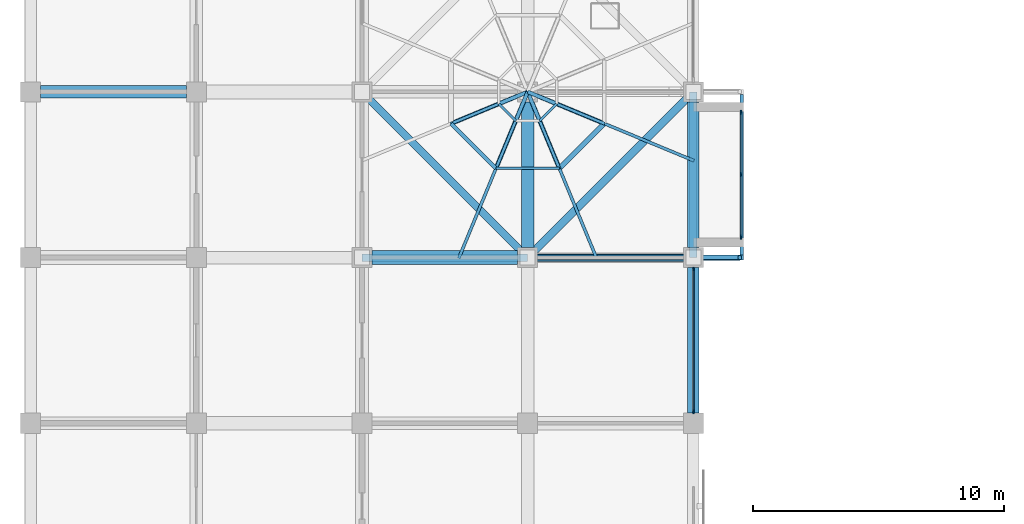
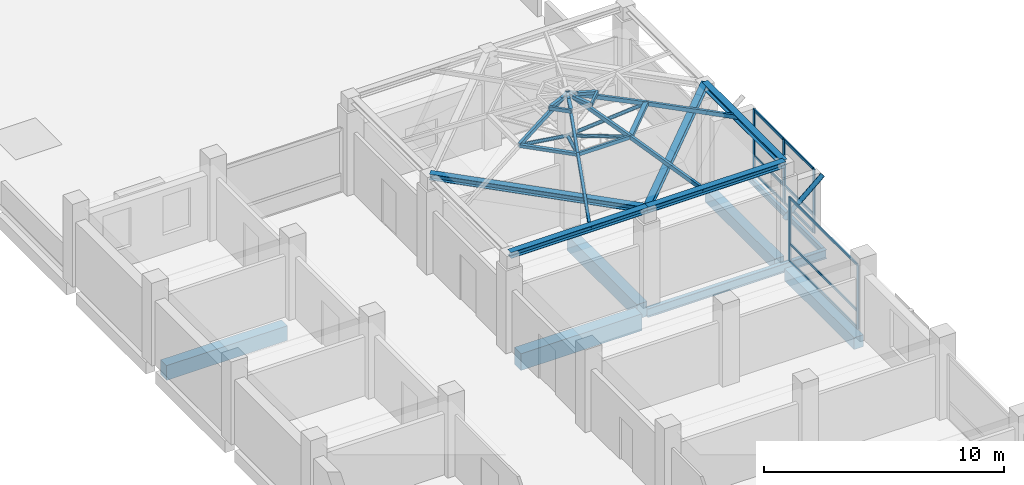
# One storey, part 12 of 30: 35 members, 12 beams, 2 elements without a shape of their own.
"""IFC4 building model written with IfcOpenShell, lengths in metres."""

from ifc_helpers import new_model, si_unit, direction, frame, origin, origin_2d, place, context, subcontext, project, spatial, rectangle, hollow_rectangle, hollow_circle, i_section, extrude, material, material_profile, profile_set, type_object, element, aggregate, save


model = new_model("IFC4")

# Units and contexts
model_context = context("Model", 3, precision=1e-05, world=origin(), true_north=direction((0.0, 1.0)))
body_context = subcontext(model_context, "Body", "Model", "MODEL_VIEW")
ifc_project = project(units=[si_unit("LENGTHUNIT", "METRE"), si_unit("AREAUNIT", "SQUARE_METRE"), si_unit("VOLUMEUNIT", "CUBIC_METRE"), si_unit("PLANEANGLEUNIT", "RADIAN"), si_unit("MASSUNIT", "GRAM", prefix="KILO")], contexts=[model_context])

# Site, building, storey
site_placement = place(None, origin())
site = spatial("IfcSite", under=ifc_project, at=site_placement, CompositionType="ELEMENT")
building_placement = place(site_placement, origin())
building = spatial("IfcBuilding", under=site, at=building_placement, Name="Rusizi Kubbe Research Institute", CompositionType="ELEMENT")
storey_placement = place(building_placement, frame((0.0, 0.0, 10.199951171875)))
storey = spatial("IfcBuildingStorey", under=building, at=storey_placement, Name="L02", CompositionType="ELEMENT", Elevation=10.199951171875)

# Beams
ifc_material_1 = material(Name="Steel S355", Category="steel")
ifc_material_profile_1 = material_profile(ifc_material_1, i_section(OverallWidth=0.300048828125, OverallDepth=0.300048828125, WebThickness=0.010986328125, FlangeThickness=0.01904296875, at=origin_2d()), Name="HEB 300")
ifc_profile_set_1 = profile_set([ifc_material_profile_1], Name="Steel S355")
beam_type_1 = type_object("IfcBeamType", Name="BM-HEB300", PredefinedType="BEAM", material=ifc_profile_set_1)
beam_1_placement = place(storey_placement, frame((13.199951171875, 105.60009765625, 4.699951171875), z_axis=(1.0, 0.0, 0.0), x_axis=(0.0, 1.0, 0.0)))
element("IfcBeam", 1, at=beam_1_placement, inside=storey, type_object=beam_type_1, Name="Kubbe Dome Ring Beam DOME-LEC S1", PredefinedType="BEAM", context=body_context, shape_type="SweptSolid", body=[
    extrude(i_section(OverallWidth=0.300048828125, OverallDepth=0.300048828125, WebThickness=0.010986328125, FlangeThickness=0.01904296875, at=origin_2d()), origin(), (0.0, 0.0, 1.0), 6.60009765625),
])
for number, where, z_axis, x_axis, name in (
    (2, (19.800048828125, 105.60009765625, 4.699951171875), (1.0, 0.0, 0.0), (0.0, 1.0, 0.0), "Kubbe Dome Ring Beam DOME-LEC S2"),
    (3, (26.39990234375, 105.60009765625, 4.699951171875), (0.0, 1.0, 0.0), (-1.0, 0.0, 0.0), "Kubbe Dome Ring Beam DOME-LEC E1"),
):
    element("IfcBeam", number, at=place(storey_placement, frame(where, z_axis=z_axis, x_axis=x_axis)), inside=storey, type_object=beam_type_1, Name=name, PredefinedType="BEAM", context=body_context, shape_type="SweptSolid", body=[
        extrude(i_section(OverallWidth=0.300048828125, OverallDepth=0.300048828125, WebThickness=0.010986328125, FlangeThickness=0.01904296875, at=origin_2d()), origin(), (0.0, 0.0, 1.0), 6.599853515625),
    ])
beam_2_placement = place(storey_placement, frame((13.199951171875, 112.199951171875, 4.699951171875), z_axis=(0.707119859409, -0.707093702722, 0.0), x_axis=(0.707093702722, 0.707119859409, 0.0)))
element("IfcBeam", 4, at=beam_2_placement, inside=storey, type_object=beam_type_1, Name="Kubbe Dome Ring Beam DOME-LEC PSW", PredefinedType="BEAM", context=body_context, shape_type="SweptSolid", body=[
    extrude(i_section(OverallWidth=0.300048828125, OverallDepth=0.300048828125, WebThickness=0.010986328125, FlangeThickness=0.01904296875, at=origin_2d()), origin(), (0.0, 0.0, 1.0), 9.333740234375),
])
beam_3_placement = place(storey_placement, frame((19.800048828125, 105.60009765625, 4.699951171875), z_axis=(0.707106781187, 0.707106781187, 0.0), x_axis=(-0.707106781187, 0.707106781187, 0.0)))
element("IfcBeam", 5, at=beam_3_placement, inside=storey, type_object=beam_type_1, Name="Kubbe Dome Ring Beam DOME-LEC PSE", PredefinedType="BEAM", context=body_context, shape_type="SweptSolid", body=[
    extrude(i_section(OverallWidth=0.300048828125, OverallDepth=0.300048828125, WebThickness=0.010986328125, FlangeThickness=0.01904296875, at=origin_2d()), origin(), (0.0, 0.0, 1.0), 9.33349609375),
])
ifc_material_2 = material(Name="Steel S355", Category="steel")
ifc_material_profile_2 = material_profile(ifc_material_2, i_section(OverallWidth=0.14990234375, OverallDepth=0.300048828125, WebThickness=0.007080078125, FlangeThickness=0.0107421875, at=origin_2d()), Name="IPE 300")
ifc_profile_set_2 = profile_set([ifc_material_profile_2], Name="Steel S355")
beam_type_2 = type_object("IfcBeamType", Name="BM-IPE300", PredefinedType="BEAM", material=ifc_profile_set_2)
beam_4_placement = place(storey_placement, frame((28.324951171875, 105.695068359375, -0.5), z_axis=(0.0, 1.0, 0.0), x_axis=(-1.0, 0.0, 0.0)))
element("IfcBeam", 6, at=beam_4_placement, inside=storey, type_object=beam_type_2, Name="Cumba Edge Tie Beam L02-2", PredefinedType="BEAM", context=body_context, shape_type="SweptSolid", body=[
    extrude(i_section(OverallWidth=0.14990234375, OverallDepth=0.300048828125, WebThickness=0.007080078125, FlangeThickness=0.0107421875, at=origin_2d()), origin(), (0.0, 0.0, 1.0), 6.409912109375),
])
ifc_material_3 = material(Name="Steel S355", Category="steel")
ifc_material_profile_3 = material_profile(ifc_material_3, i_section(OverallWidth=0.18994140625, OverallDepth=0.449951171875, WebThickness=0.009521484375, FlangeThickness=0.0146484375, at=origin_2d()), Name="IPE 450")
ifc_profile_set_3 = profile_set([ifc_material_profile_3], Name="Steel S355")
beam_type_3 = type_object("IfcBeamType", Name="BM-IPE450", PredefinedType="BEAM", material=ifc_profile_set_3)
beam_5_placement = place(storey_placement, frame((19.800048828125, 105.60009765625, -0.574951171875), z_axis=(1.0, 0.0, 0.0), x_axis=(0.0, 1.0, 0.0)))
element("IfcBeam", 7, at=beam_5_placement, inside=storey, type_object=beam_type_3, Name="Cumba Back-Spanned Cantilever Beam L02-2S", PredefinedType="BEAM", context=body_context, shape_type="SweptSolid", body=[
    extrude(i_section(OverallWidth=0.18994140625, OverallDepth=0.449951171875, WebThickness=0.009521484375, FlangeThickness=0.0146484375, at=origin_2d()), origin(), (0.0, 0.0, 1.0), 8.599853515625),
])
ifc_material_4 = material(Name="Concrete C40/50", Category="concrete")
ifc_material_profile_4 = material_profile(ifc_material_4, rectangle(XDim=0.449951171875, YDim=0.60009765625, at=origin_2d()), Name="RC450x600")
ifc_profile_set_4 = profile_set([ifc_material_profile_4], Name="Concrete C40/50")
beam_type_4 = type_object("IfcBeamType", Name="BM-RC450x600", PredefinedType="SPANDREL", material=ifc_profile_set_4)
for number, where, z_axis, x_axis, name in (
    (8, (26.39990234375, 99.39990234375, -0.64990234375), (0.0, 1.0, 0.0), (-1.0, 0.0, 0.0), "Grid Beam V L02 (4,15)"),
    (9, (26.39990234375, 106.0, -0.64990234375), (0.0, 1.0, 0.0), (-1.0, 0.0, 0.0), "Grid Beam V L02 (4,16)"),
):
    element("IfcBeam", number, at=place(storey_placement, frame(where, z_axis=z_axis, x_axis=x_axis)), inside=storey, type_object=beam_type_4, Name=name, PredefinedType="SPANDREL", context=body_context, shape_type="SweptSolid", body=[
        extrude(rectangle(XDim=0.449951171875, YDim=0.60009765625, at=origin_2d()), origin(), (0.0, 0.0, 1.0), 5.800048828125),
    ])
ifc_material_5 = material(Name="Concrete C45/55", Category="concrete")
ifc_material_profile_5 = material_profile(ifc_material_5, rectangle(XDim=0.5, YDim=0.75, at=origin_2d()), Name="RC500x750B")
ifc_profile_set_5 = profile_set([ifc_material_profile_5], Name="Concrete C45/55")
beam_type_5 = type_object("IfcBeamType", Name="BM-RC500x750", PredefinedType="BEAM", material=ifc_profile_set_5)
for number, where, z_axis, x_axis, name in (
    (10, (0.39990234375, 112.199951171875, -0.724853515625), (1.0, 0.0, 0.0), (0.0, 1.0, 0.0), "Grid Beam H L02 (0,17)"),
    (11, (19.800048828125, 106.0, -0.724853515625), (0.0, 1.0, 0.0), (-1.0, 0.0, 0.0), "Grid Beam V L02 (3,16)"),
):
    element("IfcBeam", number, at=place(storey_placement, frame(where, z_axis=z_axis, x_axis=x_axis)), inside=storey, type_object=beam_type_5, Name=name, PredefinedType="BEAM", context=body_context, shape_type="SweptSolid", body=[
        extrude(rectangle(XDim=0.5, YDim=0.75, at=origin_2d()), origin(), (0.0, 0.0, 1.0), 5.800048828125),
    ])
ifc_material_6 = material(Name="Concrete C45/55", Category="concrete")
ifc_material_profile_6 = material_profile(ifc_material_6, rectangle(XDim=0.550048828125, YDim=0.85009765625, at=origin_2d()), Name="RC550x850")
ifc_profile_set_6 = profile_set([ifc_material_profile_6], Name="Concrete C45/55")
beam_type_6 = type_object("IfcBeamType", Name="BM-RC550x850", PredefinedType="BEAM", material=ifc_profile_set_6)
beam_6_placement = place(storey_placement, frame((13.60009765625, 105.60009765625, -0.77490234375), z_axis=(1.0, 0.0, 0.0), x_axis=(0.0, 1.0, 0.0)))
element("IfcBeam", 12, at=beam_6_placement, inside=storey, type_object=beam_type_6, Name="Grid Beam H L02 (2,16)", PredefinedType="BEAM", context=body_context, shape_type="SweptSolid", body=[
    extrude(rectangle(XDim=0.550048828125, YDim=0.85009765625, at=origin_2d()), origin(), (0.0, 0.0, 1.0), 5.7998046875),
])

# Members
ifc_material_7 = material(Name="Steel S355", Category="steel")
ifc_material_profile_7 = material_profile(ifc_material_7, hollow_circle(Radius=0.084228515625, WallThickness=0.00634765625, at=origin_2d()), Name="CHS 168.3x6.3")
ifc_profile_set_7 = profile_set([ifc_material_profile_7], Name="Steel S355")
member_type_1 = type_object("IfcMemberType", Name="MB-CHS168", PredefinedType="STRUT", material=ifc_profile_set_7)
member_1_placement = place(storey_placement, frame((19.800048828125, 112.199951171875, 4.400146484375), z_axis=(-0.855565639914, -0.354339004615, 0.377427218953), x_axis=(0.382639293348, -0.923897814256, 0.0)))
element("IfcMember", 13, at=member_1_placement, inside=storey, type_object=member_type_1, Name="Kubbe Radial King-Post Strut DOME-LEC-5", PredefinedType="STRUT", context=body_context, shape_type="SweptSolid", body=[
    extrude(hollow_circle(Radius=0.084228515625, WallThickness=0.00634765625, at=origin_2d()), origin(), (0.0, 0.0, 1.0), 3.5634765625),
])
member_2_placement = place(storey_placement, frame((19.800048828125, 112.199951171875, 4.400146484375), z_axis=(-0.354398911477, -0.855544868842, 0.37741805593), x_axis=(0.92387165845, -0.382702441477, 0.0)))
element("IfcMember", 14, at=member_2_placement, inside=storey, type_object=member_type_1, Name="Kubbe Radial King-Post Strut DOME-LEC-6", PredefinedType="STRUT", context=body_context, shape_type="SweptSolid", body=[
    extrude(hollow_circle(Radius=0.084228515625, WallThickness=0.00634765625, at=origin_2d()), origin(), (0.0, 0.0, 1.0), 3.563720703125),
])
for number, where, z_axis, x_axis, name in (
    (15, (19.800048828125, 112.199951171875, 4.400146484375), (0.354339004615, -0.855565639914, 0.377427218953), (0.923897814256, 0.382639293348, 0.0), "Kubbe Radial King-Post Strut DOME-LEC-7"),
    (16, (19.800048828125, 112.199951171875, 4.400146484375), (0.855565639914, -0.354339004615, 0.377427218953), (0.382639293348, 0.923897814256, 0.0), "Kubbe Radial King-Post Strut DOME-LEC-8"),
):
    element("IfcMember", number, at=place(storey_placement, frame(where, z_axis=z_axis, x_axis=x_axis)), inside=storey, type_object=member_type_1, Name=name, PredefinedType="STRUT", context=body_context, shape_type="SweptSolid", body=[
        extrude(hollow_circle(Radius=0.084228515625, WallThickness=0.00634765625, at=origin_2d()), origin(), (0.0, 0.0, 1.0), 3.5634765625),
    ])
ifc_material_8 = material(Name="Steel S355", Category="steel")
ifc_material_profile_8 = material_profile(ifc_material_8, hollow_circle(Radius=0.109619140625, WallThickness=0.008056640625, at=origin_2d()), Name="CHS 219.1x8.0")
ifc_profile_set_8 = profile_set([ifc_material_profile_8], Name="Steel S355")
member_type_2 = type_object("IfcMemberType", Name="MB-CHS219", PredefinedType="BRACE", material=ifc_profile_set_8)
member_3_placement = place(storey_placement, frame((26.39990234375, 105.60009765625, 1.85009765625), z_axis=(0.756409887843, 0.0, 0.654097914362), x_axis=(0.0, 1.0, 0.0)))
element("IfcMember", 17, at=member_3_placement, inside=storey, type_object=member_type_2, Name="Cumba Diagonal Corbel Brace L03-3S", PredefinedType="BRACE", context=body_context, shape_type="SweptSolid", body=[
    extrude(hollow_circle(Radius=0.109619140625, WallThickness=0.008056640625, at=origin_2d()), origin(), (0.0, 0.0, 1.0), 2.44580078125),
])
ifc_material_9 = material(Name="Steel S355", Category="steel")
ifc_material_profile_9 = material_profile(ifc_material_9, hollow_rectangle(XDim=0.10009765625, YDim=0.179931640625, WallThickness=0.008056640625, at=origin_2d()), Name="RHS 180x100x8.0")
ifc_profile_set_9 = profile_set([ifc_material_profile_9], Name="Steel S355")
member_type_3 = type_object("IfcMemberType", Name="MB-RHS180", PredefinedType="PURLIN", material=ifc_profile_set_9)
member_4_placement = place(storey_placement, frame((18.645263671875, 111.7216796875, 6.5), z_axis=(0.706979156105, -0.707234383237, 0.0), x_axis=(0.707234383237, 0.706979156105, 0.0)))
element("IfcMember", 18, at=member_4_placement, inside=storey, type_object=member_type_3, Name="Kubbe Dome Hoop Purlin Top DOME-LEC-5", PredefinedType="PURLIN", context=body_context, shape_type="SweptSolid", body=[
    extrude(hollow_rectangle(XDim=0.10009765625, YDim=0.179931640625, WallThickness=0.008056640625, at=origin_2d()), origin(), (0.0, 0.0, 1.0), 0.95654296875),
])
member_5_placement = place(storey_placement, frame((18.537109375, 109.151123046875, 5.7451171875), z_axis=(1.0, 0.0, 0.0), x_axis=(0.0, 1.0, 0.0)))
element("IfcMember", 19, at=member_5_placement, inside=storey, type_object=member_type_3, Name="Kubbe Vault Hoop Purlin Mid DOME-LEC-6", PredefinedType="PURLIN", context=body_context, shape_type="SweptSolid", body=[
    extrude(hollow_rectangle(XDim=0.10009765625, YDim=0.179931640625, WallThickness=0.008056640625, at=origin_2d()), origin(), (0.0, 0.0, 1.0), 2.525634765625),
])
member_6_placement = place(storey_placement, frame((20.2783203125, 111.045166015625, 6.5), z_axis=(0.707106781187, 0.707106781187, 0.0), x_axis=(-0.707106781187, 0.707106781187, 0.0)))
element("IfcMember", 20, at=member_6_placement, inside=storey, type_object=member_type_3, Name="Kubbe Dome Hoop Purlin Top DOME-LEC-7", PredefinedType="PURLIN", context=body_context, shape_type="SweptSolid", body=[
    extrude(hollow_rectangle(XDim=0.10009765625, YDim=0.179931640625, WallThickness=0.008056640625, at=origin_2d()), origin(), (0.0, 0.0, 1.0), 0.956787109375),
])
ifc_material_10 = material(Name="Steel S355", Category="steel")
ifc_material_profile_10 = material_profile(ifc_material_10, hollow_rectangle(XDim=0.1201171875, YDim=0.199951171875, WallThickness=0.008056640625, at=origin_2d()), Name="RHS 200x120x8.0")
ifc_profile_set_10 = profile_set([ifc_material_profile_10], Name="Steel S355")
member_type_4 = type_object("IfcMemberType", Name="MB-RHS200", PredefinedType="RAFTER", material=ifc_profile_set_10)
member_7_placement = place(storey_placement, frame((16.751220703125, 110.937255859375, 5.7451171875), z_axis=(0.895672179675, 0.370949432517, 0.245291388092), x_axis=(-0.382639293348, 0.923897814256, 0.0)))
element("IfcMember", 21, at=member_7_placement, inside=storey, type_object=member_type_4, Name="Kubbe Arch Rib Upper DOME-LEC-5", PredefinedType="RAFTER", context=body_context, shape_type="SweptSolid", body=[
    extrude(hollow_rectangle(XDim=0.1201171875, YDim=0.199951171875, WallThickness=0.008056640625, at=origin_2d()), origin(), (0.0, 0.0, 1.0), 3.404052734375),
])
member_8_placement = place(storey_placement, frame((17.066162109375, 105.60009765625, 4.699951171875), z_axis=(0.369288326358, 0.891501860063, 0.262393912886), x_axis=(-0.923873609669, 0.382697731059, 0.0)))
element("IfcMember", 22, at=member_8_placement, inside=storey, type_object=member_type_4, Name="Kubbe Arch Rib Lower DOME-LEC-6", PredefinedType="RAFTER", context=body_context, shape_type="SweptSolid", body=[
    extrude(hollow_rectangle(XDim=0.1201171875, YDim=0.199951171875, WallThickness=0.008056640625, at=origin_2d()), origin(), (0.0, 0.0, 1.0), 3.983154296875),
])
member_9_placement = place(storey_placement, frame((18.537109375, 109.151123046875, 5.7451171875), z_axis=(0.371011283394, 0.895648348544, 0.245284861629), x_axis=(-0.92387165845, 0.382702441477, 0.0)))
element("IfcMember", 23, at=member_9_placement, inside=storey, type_object=member_type_4, Name="Kubbe Arch Rib Upper DOME-LEC-6", PredefinedType="RAFTER", context=body_context, shape_type="SweptSolid", body=[
    extrude(hollow_rectangle(XDim=0.1201171875, YDim=0.199951171875, WallThickness=0.008056640625, at=origin_2d()), origin(), (0.0, 0.0, 1.0), 3.404052734375),
])
member_10_placement = place(storey_placement, frame((22.53369140625, 105.60009765625, 4.699951171875), z_axis=(-0.369288326358, 0.891501860063, 0.262393912886), x_axis=(-0.923873609669, -0.382697731059, 0.0)))
element("IfcMember", 24, at=member_10_placement, inside=storey, type_object=member_type_4, Name="Kubbe Arch Rib Lower DOME-LEC-7", PredefinedType="RAFTER", context=body_context, shape_type="SweptSolid", body=[
    extrude(hollow_rectangle(XDim=0.1201171875, YDim=0.199951171875, WallThickness=0.008056640625, at=origin_2d()), origin(), (0.0, 0.0, 1.0), 3.983154296875),
])
member_11_placement = place(storey_placement, frame((21.062744140625, 109.151123046875, 5.7451171875), z_axis=(-0.370949432517, 0.895672179675, 0.245291388092), x_axis=(-0.923897814256, -0.382639293348, 0.0)))
element("IfcMember", 25, at=member_11_placement, inside=storey, type_object=member_type_4, Name="Kubbe Arch Rib Upper DOME-LEC-7", PredefinedType="RAFTER", context=body_context, shape_type="SweptSolid", body=[
    extrude(hollow_rectangle(XDim=0.1201171875, YDim=0.199951171875, WallThickness=0.008056640625, at=origin_2d()), origin(), (0.0, 0.0, 1.0), 3.404052734375),
])
member_12_placement = place(storey_placement, frame((26.39990234375, 109.46630859375, 4.699951171875), z_axis=(-0.891501860063, 0.369288326358, 0.262393912886), x_axis=(-0.382697731059, -0.923873609669, 0.0)))
element("IfcMember", 26, at=member_12_placement, inside=storey, type_object=member_type_4, Name="Kubbe Arch Rib Lower DOME-LEC-8", PredefinedType="RAFTER", context=body_context, shape_type="SweptSolid", body=[
    extrude(hollow_rectangle(XDim=0.1201171875, YDim=0.199951171875, WallThickness=0.008056640625, at=origin_2d()), origin(), (0.0, 0.0, 1.0), 3.983154296875),
])
member_13_placement = place(storey_placement, frame((22.848876953125, 110.937255859375, 5.7451171875), z_axis=(-0.895672179675, 0.370949432517, 0.245291388092), x_axis=(-0.382639293348, -0.923897814256, 0.0)))
element("IfcMember", 27, at=member_13_placement, inside=storey, type_object=member_type_4, Name="Kubbe Arch Rib Upper DOME-LEC-8", PredefinedType="RAFTER", context=body_context, shape_type="SweptSolid", body=[
    extrude(hollow_rectangle(XDim=0.1201171875, YDim=0.199951171875, WallThickness=0.008056640625, at=origin_2d()), origin(), (0.0, 0.0, 1.0), 3.404052734375),
])
ifc_material_11 = material(Name="Steel S355", Category="steel")
ifc_material_profile_11 = material_profile(ifc_material_11, hollow_rectangle(XDim=0.14990234375, YDim=0.14990234375, WallThickness=0.008056640625, at=origin_2d()), Name="SHS 150x150x8.0")
ifc_profile_set_11 = profile_set([ifc_material_profile_11], Name="Steel S355")
member_type_5 = type_object("IfcMemberType", Name="MB-SHS150", PredefinedType="PURLIN", material=ifc_profile_set_11)
member_14_placement = place(storey_placement, frame((16.751220703125, 110.937255859375, 5.7451171875), z_axis=(0.707058450181, -0.707155108889, 0.0), x_axis=(0.707155108889, 0.707058450181, 0.0)))
element("IfcMember", 28, at=member_14_placement, inside=storey, type_object=member_type_5, Name="Kubbe Vault Hoop Purlin Mid DOME-LEC-5", PredefinedType="PURLIN", context=body_context, shape_type="SweptSolid", body=[
    extrude(hollow_rectangle(XDim=0.14990234375, YDim=0.14990234375, WallThickness=0.008056640625, at=origin_2d()), origin(), (0.0, 0.0, 1.0), 2.52587890625),
])
for number, where, z_axis, x_axis, name in (
    (29, (19.800048828125, 112.199951171875, 6.5), (-0.923895425513, -0.382645061011, 0.0), (0.382645061011, -0.923895425513, 0.0), "Kubbe Crown Collar DOME-LEC-5"),
    (30, (19.800048828125, 112.199951171875, 6.5), (-0.382811769845, -0.923826362943, 0.0), (0.923826362943, -0.382811769845, 0.0), "Kubbe Crown Collar DOME-LEC-6"),
    (31, (19.800048828125, 112.199951171875, 6.5), (0.382645061011, -0.923895425513, 0.0), (0.923895425513, 0.382645061011, 0.0), "Kubbe Crown Collar DOME-LEC-7"),
    (32, (19.800048828125, 112.199951171875, 6.5), (0.923895425513, -0.382645061011, 0.0), (0.382645061011, 0.923895425513, 0.0), "Kubbe Crown Collar DOME-LEC-8"),
):
    element("IfcMember", number, at=place(storey_placement, frame(where, z_axis=z_axis, x_axis=x_axis)), inside=storey, type_object=member_type_5, Name=name, PredefinedType="PURLIN", context=body_context, shape_type="SweptSolid", body=[
        extrude(hollow_rectangle(XDim=0.14990234375, YDim=0.14990234375, WallThickness=0.008056640625, at=origin_2d()), origin(), (0.0, 0.0, 1.0), 1.25),
    ])
ifc_material_12 = material(Name="Steel S355", Category="steel")
ifc_material_profile_12 = material_profile(ifc_material_12, hollow_rectangle(XDim=0.199951171875, YDim=0.199951171875, WallThickness=0.010009765625, at=origin_2d()), Name="SHS 200x200x10.0")
ifc_profile_set_12 = profile_set([ifc_material_profile_12], Name="Steel S355")
member_type_6 = type_object("IfcMemberType", Name="MB-SHS200", PredefinedType="PURLIN", material=ifc_profile_set_12)
member_15_placement = place(storey_placement, frame((21.062744140625, 109.151123046875, 5.7451171875), z_axis=(0.707106781187, 0.707106781187, 0.0), x_axis=(-0.707106781187, 0.707106781187, 0.0)))
element("IfcMember", 33, at=member_15_placement, inside=storey, type_object=member_type_6, Name="Kubbe Vault Hoop Purlin Mid DOME-LEC-7", PredefinedType="PURLIN", context=body_context, shape_type="SweptSolid", body=[
    extrude(hollow_rectangle(XDim=0.199951171875, YDim=0.199951171875, WallThickness=0.010009765625, at=origin_2d()), origin(), (0.0, 0.0, 1.0), 2.52587890625),
])

# Curtain wall, members
ifc_material_13 = material(Name="Thermally Broken Aluminium and Low-E Glazing", Category="aluminium")
curtain_wall_type_1 = type_object("IfcCurtainWallType", Name="CW-05", PredefinedType="NOTDEFINED", material=ifc_material_13)
curtain_wall_1_placement = place(storey_placement, origin())
curtain_wall_1 = element("IfcCurtainWall", 34, at=curtain_wall_1_placement, inside=storey, type_object=curtain_wall_type_1, Name="Unitised Facade Curtain Wall CW-L02-V-04-15", PredefinedType="NOTDEFINED")
ifc_material_14 = material(Name="Aluminium Alloy 6063-T6", Category="aluminium")
ifc_material_profile_13 = material_profile(ifc_material_14, rectangle(XDim=0.06005859375, YDim=0.14990234375, at=origin_2d()), Name="ALU-M 60x150")
ifc_profile_set_13 = profile_set([ifc_material_profile_13], Name="Aluminium Alloy 6063-T6")
member_type_7 = type_object("IfcMemberType", Name="ML-01", PredefinedType="MULLION", material=ifc_profile_set_13)
member_16_placement = place(storey_placement, frame((26.39990234375, 99.4599609375, 0.0), z_axis=(0.0, 0.0, 1.0), x_axis=(-1.0, 0.0, 0.0)))
member_16 = element("IfcMember", 35, at=member_16_placement, type_object=member_type_7, Name="CW-05 mullion 1", PredefinedType="MULLION", context=body_context, shape_type="SweptSolid", body=[
    extrude(rectangle(XDim=0.06005859375, YDim=0.14990234375, at=origin_2d()), origin(), (0.0, 0.0, 1.0), 3.25),
])
member_17_placement = place(storey_placement, frame((26.39990234375, 105.139892578125, 0.0), z_axis=(0.0, 0.0, 1.0), x_axis=(-1.0, 0.0, 0.0)))
member_17 = element("IfcMember", 36, at=member_17_placement, type_object=member_type_7, Name="CW-05 mullion 2", PredefinedType="MULLION", context=body_context, shape_type="SweptSolid", body=[
    extrude(rectangle(XDim=0.06005859375, YDim=0.14990234375, at=origin_2d()), origin(), (0.0, 0.0, 1.0), 3.25),
])

ifc_material_15 = material(Name="Thermally Broken Aluminium and Low-E Glazing", Category="aluminium")
curtain_wall_type_2 = type_object("IfcCurtainWallType", Name="CW-01", PredefinedType="NOTDEFINED", material=ifc_material_15)
curtain_wall_2_placement = place(storey_placement, origin())
curtain_wall_2 = element("IfcCurtainWall", 37, at=curtain_wall_2_placement, inside=storey, type_object=curtain_wall_type_2, Name="Cumba Glazed Curtain Wall CW-CUMBA-L02-025", PredefinedType="NOTDEFINED")
ifc_material_16 = material(Name="Aluminium Alloy 6063-T6", Category="aluminium")
ifc_material_profile_14 = material_profile(ifc_material_16, rectangle(XDim=0.06005859375, YDim=0.179931640625, at=origin_2d()), Name="ALU-M 60x180")
ifc_profile_set_14 = profile_set([ifc_material_profile_14], Name="Aluminium Alloy 6063-T6")
member_type_8 = type_object("IfcMemberType", Name="ML-02", PredefinedType="MULLION", material=ifc_profile_set_14)
member_18_placement = place(storey_placement, frame((28.300048828125, 106.41259765625, 0.0), z_axis=(0.0, 0.0, 1.0), x_axis=(-1.0, 0.0, 0.0)))
member_18 = element("IfcMember", 38, at=member_18_placement, type_object=member_type_8, Name="CW-01 mullion 1", PredefinedType="MULLION", context=body_context, shape_type="SweptSolid", body=[
    extrude(rectangle(XDim=0.06005859375, YDim=0.179931640625, at=origin_2d()), origin(), (0.0, 0.0, 1.0), 3.25),
])
member_19_placement = place(storey_placement, frame((28.300048828125, 108.89990234375, 0.0), z_axis=(0.0, 0.0, 1.0), x_axis=(-1.0, 0.0, 0.0)))
member_19 = element("IfcMember", 39, at=member_19_placement, type_object=member_type_8, Name="CW-01 mullion 2", PredefinedType="MULLION", context=body_context, shape_type="SweptSolid", body=[
    extrude(rectangle(XDim=0.06005859375, YDim=0.179931640625, at=origin_2d()), origin(), (0.0, 0.0, 1.0), 3.25),
])
member_20_placement = place(storey_placement, frame((28.300048828125, 111.387451171875, 0.0), z_axis=(0.0, 0.0, 1.0), x_axis=(-1.0, 0.0, 0.0)))
member_20 = element("IfcMember", 40, at=member_20_placement, type_object=member_type_8, Name="CW-01 mullion 3", PredefinedType="MULLION", context=body_context, shape_type="SweptSolid", body=[
    extrude(rectangle(XDim=0.06005859375, YDim=0.179931640625, at=origin_2d()), origin(), (0.0, 0.0, 1.0), 3.25),
])

# Member
ifc_material_17 = material(Name="Aluminium Alloy 6063-T6", Category="aluminium")
ifc_material_profile_15 = material_profile(ifc_material_17, rectangle(XDim=0.06005859375, YDim=0.1201171875, at=origin_2d()), Name="ALU-T 60x120")
ifc_profile_set_15 = profile_set([ifc_material_profile_15], Name="Aluminium Alloy 6063-T6")
member_type_9 = type_object("IfcMemberType", Name="TR-01", PredefinedType="USERDEFINED", material=ifc_profile_set_15)
member_21_placement = place(storey_placement, frame((26.39990234375, 99.489990234375, 0.030029296875), z_axis=(0.0, 1.0, 0.0), x_axis=(-1.0, 0.0, 0.0)))
member_21 = element("IfcMember", 41, at=member_21_placement, type_object=member_type_9, Name="CW-05 transom 1.1", ObjectType="TRANSOM", PredefinedType="USERDEFINED", context=body_context, shape_type="SweptSolid", body=[
    extrude(rectangle(XDim=0.06005859375, YDim=0.1201171875, at=origin_2d()), origin(), (0.0, 0.0, 1.0), 5.6201171875),
])

member_22_placement = place(storey_placement, frame((26.39990234375, 99.489990234375, 0.900146484375), z_axis=(0.0, 1.0, 0.0), x_axis=(-1.0, 0.0, 0.0)))
member_22 = element("IfcMember", 42, at=member_22_placement, type_object=member_type_9, Name="CW-05 transom 1.2", ObjectType="TRANSOM", PredefinedType="USERDEFINED", context=body_context, shape_type="SweptSolid", body=[
    extrude(rectangle(XDim=0.06005859375, YDim=0.1201171875, at=origin_2d()), origin(), (0.0, 0.0, 1.0), 5.6201171875),
])

member_23_placement = place(storey_placement, frame((26.39990234375, 99.489990234375, 3.219970703125), z_axis=(0.0, 1.0, 0.0), x_axis=(-1.0, 0.0, 0.0)))
member_23 = element("IfcMember", 43, at=member_23_placement, type_object=member_type_9, Name="CW-05 transom 1.3", ObjectType="TRANSOM", PredefinedType="USERDEFINED", context=body_context, shape_type="SweptSolid", body=[
    extrude(rectangle(XDim=0.06005859375, YDim=0.1201171875, at=origin_2d()), origin(), (0.0, 0.0, 1.0), 5.6201171875),
])

aggregate(curtain_wall_1, [member_16, member_17, member_21, member_22, member_23])

ifc_material_18 = material(Name="Aluminium Alloy 6063-T6", Category="aluminium")
ifc_material_profile_16 = material_profile(ifc_material_18, rectangle(XDim=0.06005859375, YDim=0.139892578125, at=origin_2d()), Name="ALU-T 60x140")
ifc_profile_set_16 = profile_set([ifc_material_profile_16], Name="Aluminium Alloy 6063-T6")
member_type_10 = type_object("IfcMemberType", Name="TR-02", PredefinedType="USERDEFINED", material=ifc_profile_set_16)
member_24_placement = place(storey_placement, frame((28.300048828125, 106.4423828125, 0.030029296875), z_axis=(0.0, 1.0, 0.0), x_axis=(-1.0, 0.0, 0.0)))
member_24 = element("IfcMember", 44, at=member_24_placement, type_object=member_type_10, Name="CW-01 transom 1.1", ObjectType="TRANSOM", PredefinedType="USERDEFINED", context=body_context, shape_type="SweptSolid", body=[
    extrude(rectangle(XDim=0.06005859375, YDim=0.139892578125, at=origin_2d()), origin(), (0.0, 0.0, 1.0), 2.427734375),
])

member_25_placement = place(storey_placement, frame((28.300048828125, 106.4423828125, 0.900146484375), z_axis=(0.0, 1.0, 0.0), x_axis=(-1.0, 0.0, 0.0)))
member_25 = element("IfcMember", 45, at=member_25_placement, type_object=member_type_10, Name="CW-01 transom 1.2", ObjectType="TRANSOM", PredefinedType="USERDEFINED", context=body_context, shape_type="SweptSolid", body=[
    extrude(rectangle(XDim=0.06005859375, YDim=0.139892578125, at=origin_2d()), origin(), (0.0, 0.0, 1.0), 2.427734375),
])

member_26_placement = place(storey_placement, frame((28.300048828125, 106.4423828125, 3.219970703125), z_axis=(0.0, 1.0, 0.0), x_axis=(-1.0, 0.0, 0.0)))
member_26 = element("IfcMember", 46, at=member_26_placement, type_object=member_type_10, Name="CW-01 transom 1.3", ObjectType="TRANSOM", PredefinedType="USERDEFINED", context=body_context, shape_type="SweptSolid", body=[
    extrude(rectangle(XDim=0.06005859375, YDim=0.139892578125, at=origin_2d()), origin(), (0.0, 0.0, 1.0), 2.427734375),
])

member_27_placement = place(storey_placement, frame((28.300048828125, 108.929931640625, 0.030029296875), z_axis=(0.0, 1.0, 0.0), x_axis=(-1.0, 0.0, 0.0)))
member_27 = element("IfcMember", 47, at=member_27_placement, type_object=member_type_10, Name="CW-01 transom 2.1", ObjectType="TRANSOM", PredefinedType="USERDEFINED", context=body_context, shape_type="SweptSolid", body=[
    extrude(rectangle(XDim=0.06005859375, YDim=0.139892578125, at=origin_2d()), origin(), (0.0, 0.0, 1.0), 2.427490234375),
])

member_28_placement = place(storey_placement, frame((28.300048828125, 108.929931640625, 0.900146484375), z_axis=(0.0, 1.0, 0.0), x_axis=(-1.0, 0.0, 0.0)))
member_28 = element("IfcMember", 48, at=member_28_placement, type_object=member_type_10, Name="CW-01 transom 2.2", ObjectType="TRANSOM", PredefinedType="USERDEFINED", context=body_context, shape_type="SweptSolid", body=[
    extrude(rectangle(XDim=0.06005859375, YDim=0.139892578125, at=origin_2d()), origin(), (0.0, 0.0, 1.0), 2.427490234375),
])

member_29_placement = place(storey_placement, frame((28.300048828125, 108.929931640625, 3.219970703125), z_axis=(0.0, 1.0, 0.0), x_axis=(-1.0, 0.0, 0.0)))
member_29 = element("IfcMember", 49, at=member_29_placement, type_object=member_type_10, Name="CW-01 transom 2.3", ObjectType="TRANSOM", PredefinedType="USERDEFINED", context=body_context, shape_type="SweptSolid", body=[
    extrude(rectangle(XDim=0.06005859375, YDim=0.139892578125, at=origin_2d()), origin(), (0.0, 0.0, 1.0), 2.427490234375),
])

aggregate(curtain_wall_2, [member_18, member_19, member_20, member_24, member_25, member_26, member_27, member_28, member_29])

save(model, "model.ifc")
